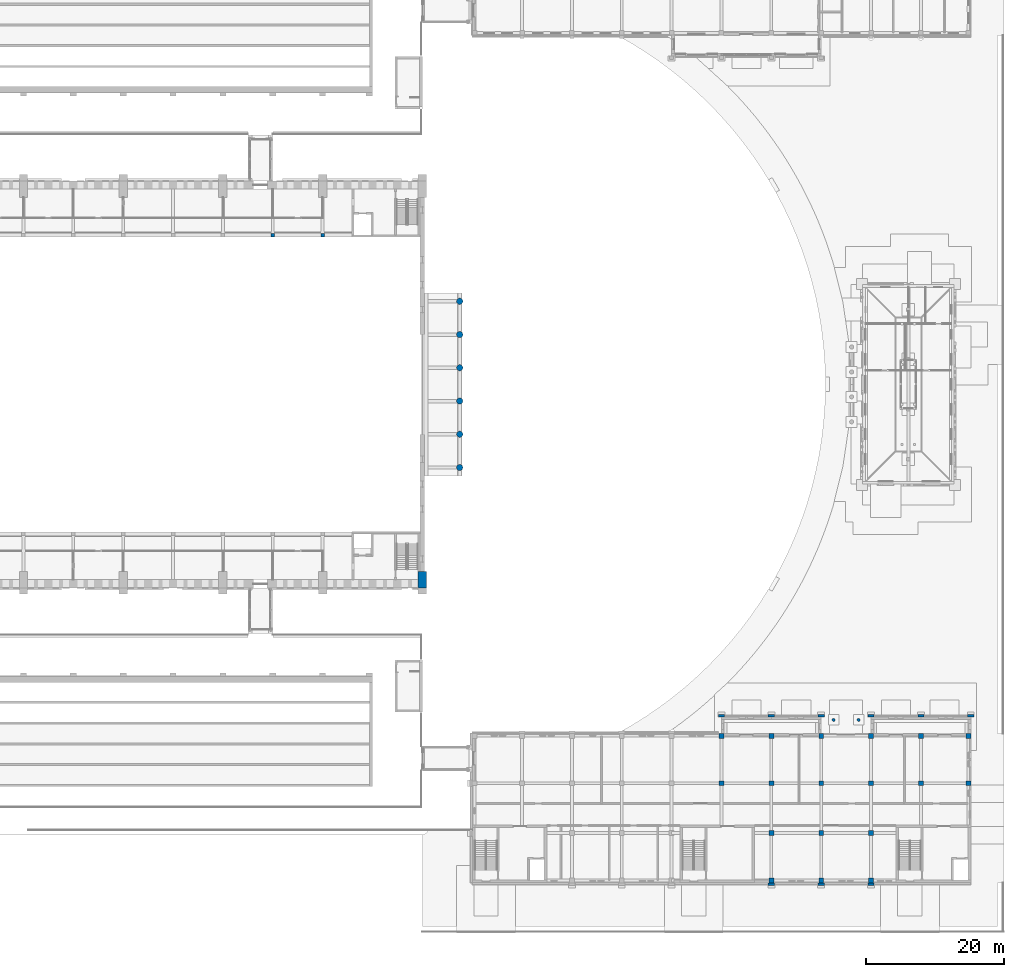
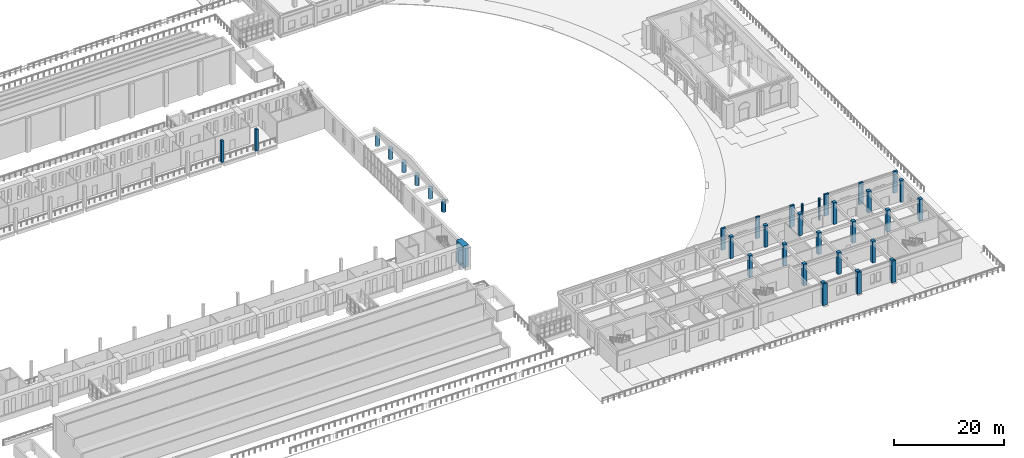
# One storey, part 25 of 131: 38 columns.
"""IFC4 building model written with IfcOpenShell, lengths in metres."""

from ifc_helpers import new_model, si_unit, direction, frame, origin, origin_2d, place, context, subcontext, project, spatial, rectangle, circle, extrude, material, material_profile, profile_set, type_object, element, save


model = new_model("IFC4")

# Units and contexts
model_context = context("Model", 3, precision=1e-05, world=origin(), true_north=direction((0.0, 1.0)))
body_context = subcontext(model_context, "Body", "Model", "MODEL_VIEW")
ifc_project = project(units=[si_unit("LENGTHUNIT", "METRE"), si_unit("AREAUNIT", "SQUARE_METRE"), si_unit("VOLUMEUNIT", "CUBIC_METRE"), si_unit("PLANEANGLEUNIT", "RADIAN"), si_unit("MASSUNIT", "GRAM", prefix="KILO")], contexts=[model_context])

# Site, building, storey
site_placement = place(None, origin())
site = spatial("IfcSite", under=ifc_project, at=site_placement, CompositionType="ELEMENT")
building_placement = place(site_placement, origin())
building = spatial("IfcBuilding", under=site, at=building_placement, Name="Alderwick Market Hall", CompositionType="ELEMENT")
storey_placement = place(building_placement, frame((0.0, 0.0, 4.800048828125)))
storey = spatial("IfcBuildingStorey", under=building, at=storey_placement, Name="L00", CompositionType="ELEMENT", Elevation=4.800048828125)

# Columns
ifc_material = material(Name="Concrete 5000 psi (f'c 35 MPa)", Category="concrete")
ifc_material_profile_1 = material_profile(ifc_material, rectangle(XDim=0.699951171875, YDim=0.699951171875, at=origin_2d()), Name="RC 700x700")
ifc_profile_set_1 = profile_set([ifc_material_profile_1], Name="Concrete 5000 psi (f'c 35 MPa)")
column_type_1 = type_object("IfcColumnType", Name="C Column RC 700x700", PredefinedType="COLUMN", material=ifc_profile_set_1)
for number, where, z_axis, x_axis, name in (
    (1, (194.39990234375, 28.449951171875, 0.0), (0.0, 0.0, 1.0), (1.0, 0.0, 0.0), "C.col.L00.06"),
    (2, (201.60009765625, 28.449951171875, 0.0), (0.0, 0.0, 1.0), (1.0, 0.0, 0.0), "C.col.L00.07"),
    (3, (208.800048828125, 28.449951171875, 0.0), (0.0, 0.0, 1.0), (1.0, 0.0, 0.0), "C.col.L00.08"),
    (4, (216.0, 28.449951171875, 0.0), (0.0, 0.0, 1.0), (1.0, 0.0, 0.0), "C.col.L00.09"),
    (5, (223.199951171875, 28.449951171875, 0.0), (0.0, 0.0, 1.0), (1.0, 0.0, 0.0), "C.col.L00.10"),
    (6, (230.050048828125, 28.449951171875, 0.0), (0.0, 0.0, 1.0), (1.0, 0.0, 0.0), "C.col.L00.11"),
    (7, (194.39990234375, 21.60009765625, 0.0), (0.0, 0.0, 1.0), (1.0, 0.0, 0.0), "C.col.L00.17"),
    (8, (201.60009765625, 21.60009765625, 0.0), (0.0, 0.0, 1.0), (1.0, 0.0, 0.0), "C.col.L00.18"),
    (9, (208.800048828125, 21.60009765625, 0.0), (0.0, 0.0, 1.0), (1.0, 0.0, 0.0), "C.col.L00.19"),
    (10, (216.0, 21.60009765625, 0.0), (0.0, 0.0, 1.0), (1.0, 0.0, 0.0), "C.col.L00.20"),
    (11, (223.199951171875, 21.60009765625, 0.0), (0.0, 0.0, 1.0), (1.0, 0.0, 0.0), "C.col.L00.21"),
    (12, (230.050048828125, 21.60009765625, 0.0), (0.0, 0.0, 1.0), (1.0, 0.0, 0.0), "C.col.L00.22"),
    (13, (201.60009765625, 14.39990234375, 0.0), (0.0, 0.0, 1.0), (1.0, 0.0, 0.0), "C.col.L00.26"),
    (14, (208.800048828125, 14.39990234375, 0.0), (0.0, 0.0, 1.0), (1.0, 0.0, 0.0), "C.col.L00.27"),
    (15, (216.0, 14.39990234375, 0.0), (0.0, 0.0, 1.0), (1.0, 0.0, 0.0), "C.col.L00.28"),
    (16, (201.60009765625, 7.550048828125, 0.0), (0.0, 0.0, 1.0), (1.0, 0.0, 0.0), "C.col.L00.32"),
    (17, (208.800048828125, 7.550048828125, 0.0), (0.0, 0.0, 1.0), (1.0, 0.0, 0.0), "C.col.L00.33"),
    (18, (216.0, 7.550048828125, 0.0), (0.0, 0.0, 1.0), (1.0, 0.0, 0.0), "C.col.L00.34"),
):
    element("IfcColumn", number, at=place(storey_placement, frame(where, z_axis=z_axis, x_axis=x_axis)), inside=storey, type_object=column_type_1, Name=name, PredefinedType="COLUMN", context=body_context, shape_type="SweptSolid", body=[
        extrude(rectangle(XDim=0.699951171875, YDim=0.699951171875, at=origin_2d()), origin(), (0.0, 0.0, 1.0), 4.800048828125),
    ])
ifc_material_profile_2 = material_profile(ifc_material, circle(Radius=0.22509765625, at=origin_2d()), Name="PC D450")
ifc_profile_set_2 = profile_set([ifc_material_profile_2], Name="Concrete 5000 psi (f'c 35 MPa)")
column_type_2 = type_object("IfcColumnType", Name="C Loggia Column Precast Concrete D450", PredefinedType="COLUMN", material=ifc_profile_set_2)
for number, where, z_axis, x_axis, name in (
    (19, (210.60009765625, 30.75, 0.0), (0.0, 0.0, 1.0), (1.0, 0.0, 0.0), "C.loggia.col.L00.01"),
    (20, (214.199951171875, 30.75, 0.0), (0.0, 0.0, 1.0), (1.0, 0.0, 0.0), "C.loggia.col.L00.02"),
):
    element("IfcColumn", number, at=place(storey_placement, frame(where, z_axis=z_axis, x_axis=x_axis)), inside=storey, type_object=column_type_2, Name=name, PredefinedType="COLUMN", context=body_context, shape_type="SweptSolid", body=[
        extrude(circle(Radius=0.22509765625, at=origin_2d()), origin(), (0.0, 0.0, 1.0), 4.800048828125),
    ])
ifc_material_profile_3 = material_profile(ifc_material, rectangle(XDim=0.89990234375, YDim=0.35009765625, at=origin_2d()), Name="PC 900x350")
ifc_profile_set_3 = profile_set([ifc_material_profile_3], Name="Concrete 5000 psi (f'c 35 MPa)")
column_type_3 = type_object("IfcColumnType", Name="C Pilaster Precast Concrete 900x350", PredefinedType="PILASTER", material=ifc_profile_set_3)
for number, where, z_axis, x_axis, name in (
    (21, (201.60009765625, 7.02490234375, 0.0), (0.0, 0.0, 1.0), (1.0, 0.0, 0.0), "C.pilaster.L00.026"),
    (22, (208.800048828125, 7.02490234375, 0.0), (0.0, 0.0, 1.0), (1.0, 0.0, 0.0), "C.pilaster.L00.029"),
    (23, (216.0, 7.02490234375, 0.0), (0.0, 0.0, 1.0), (1.0, 0.0, 0.0), "C.pilaster.L00.032"),
    (24, (194.39990234375, 31.375, 0.0), (0.0, 0.0, 1.0), (1.0, 0.0, 0.0), "C.pilaster.L00.pav1.01"),
    (25, (201.60009765625, 31.375, 0.0), (0.0, 0.0, 1.0), (1.0, 0.0, 0.0), "C.pilaster.L00.pav1.02"),
    (26, (208.800048828125, 31.375, 0.0), (0.0, 0.0, 1.0), (1.0, 0.0, 0.0), "C.pilaster.L00.pav1.03"),
    (27, (216.0, 31.375, 0.0), (0.0, 0.0, 1.0), (1.0, 0.0, 0.0), "C.pilaster.L00.pav2.01"),
    (28, (223.199951171875, 31.375, 0.0), (0.0, 0.0, 1.0), (1.0, 0.0, 0.0), "C.pilaster.L00.pav2.02"),
    (29, (230.39990234375, 31.375, 0.0), (0.0, 0.0, 1.0), (1.0, 0.0, 0.0), "C.pilaster.L00.pav2.03"),
):
    element("IfcColumn", number, at=place(storey_placement, frame(where, z_axis=z_axis, x_axis=x_axis)), inside=storey, type_object=column_type_3, Name=name, PredefinedType="PILASTER", context=body_context, shape_type="SweptSolid", body=[
        extrude(rectangle(XDim=0.89990234375, YDim=0.35009765625, at=origin_2d()), origin(), (0.0, 0.0, 1.0), 4.800048828125),
    ])
ifc_material_profile_4 = material_profile(ifc_material, rectangle(XDim=0.5, YDim=0.5, at=origin_2d()), Name="RC 500x500")
ifc_profile_set_4 = profile_set([ifc_material_profile_4], Name="Concrete 5000 psi (f'c 35 MPa)")
column_type_4 = type_object("IfcColumnType", Name="H Column 500x500", PredefinedType="COLUMN", material=ifc_profile_set_4)
for number, where, z_axis, x_axis, name in (
    (30, (129.60009765625, 100.760009765625, 0.0), (0.0, 0.0, 1.0), (1.0, 0.0, 0.0), "Gallery column N20"),
    (31, (136.800048828125, 100.760009765625, 0.0), (0.0, 0.0, 1.0), (1.0, 0.0, 0.0), "Gallery column N22"),
):
    element("IfcColumn", number, at=place(storey_placement, frame(where, z_axis=z_axis, x_axis=x_axis)), inside=storey, type_object=column_type_4, Name=name, PredefinedType="COLUMN", context=body_context, shape_type="SweptSolid", body=[
        extrude(rectangle(XDim=0.5, YDim=0.5, at=origin_2d()), origin(), (0.0, 0.0, 1.0), 4.800048828125),
    ])
ifc_material_profile_5 = material_profile(ifc_material, rectangle(XDim=1.199951171875, YDim=2.39990234375, at=origin_2d()), Name="RC 1200x2400")
ifc_profile_set_5 = profile_set([ifc_material_profile_5], Name="Concrete 5000 psi (f'c 35 MPa)")
column_type_5 = type_object("IfcColumnType", Name="R Buttress Pier 1200x2400", PredefinedType="COLUMN", material=ifc_profile_set_5)
column_placement = place(storey_placement, frame((151.199951171875, 51.0, 0.0), z_axis=(0.0, 0.0, 1.0), x_axis=(1.0, 0.0, 0.0)))
element("IfcColumn", 32, at=column_placement, inside=storey, type_object=column_type_5, Name="Buttress pier S8 L00", PredefinedType="COLUMN", context=body_context, shape_type="SweptSolid", body=[
    extrude(rectangle(XDim=1.199951171875, YDim=2.39990234375, at=origin_2d()), origin(), (0.0, 0.0, 1.0), 4.800048828125),
])
ifc_material_profile_6 = material_profile(ifc_material, circle(Radius=0.449951171875, at=origin_2d()), Name="RC D900")
ifc_profile_set_6 = profile_set([ifc_material_profile_6], Name="Concrete 5000 psi (f'c 35 MPa)")
column_type_6 = type_object("IfcColumnType", Name="R Portico Column D900", PredefinedType="COLUMN", material=ifc_profile_set_6)
for number, where, z_axis, x_axis, name in (
    (33, (156.60009765625, 67.199951171875, 0.0), (0.0, 0.0, 1.0), (1.0, 0.0, 0.0), "Portico column 1 L00"),
    (34, (156.60009765625, 72.0, 0.0), (0.0, 0.0, 1.0), (1.0, 0.0, 0.0), "Portico column 2 L00"),
    (35, (156.60009765625, 76.800048828125, 0.0), (0.0, 0.0, 1.0), (1.0, 0.0, 0.0), "Portico column 3 L00"),
    (36, (156.60009765625, 81.60009765625, 0.0), (0.0, 0.0, 1.0), (1.0, 0.0, 0.0), "Portico column 4 L00"),
    (37, (156.60009765625, 86.39990234375, 0.0), (0.0, 0.0, 1.0), (1.0, 0.0, 0.0), "Portico column 5 L00"),
    (38, (156.60009765625, 91.199951171875, 0.0), (0.0, 0.0, 1.0), (1.0, 0.0, 0.0), "Portico column 6 L00"),
):
    element("IfcColumn", number, at=place(storey_placement, frame(where, z_axis=z_axis, x_axis=x_axis)), inside=storey, type_object=column_type_6, Name=name, PredefinedType="COLUMN", context=body_context, shape_type="SweptSolid", body=[
        extrude(circle(Radius=0.449951171875, at=origin_2d()), origin(), (0.0, 0.0, 1.0), 2.39990234375),
    ])

save(model, "model.ifc")
